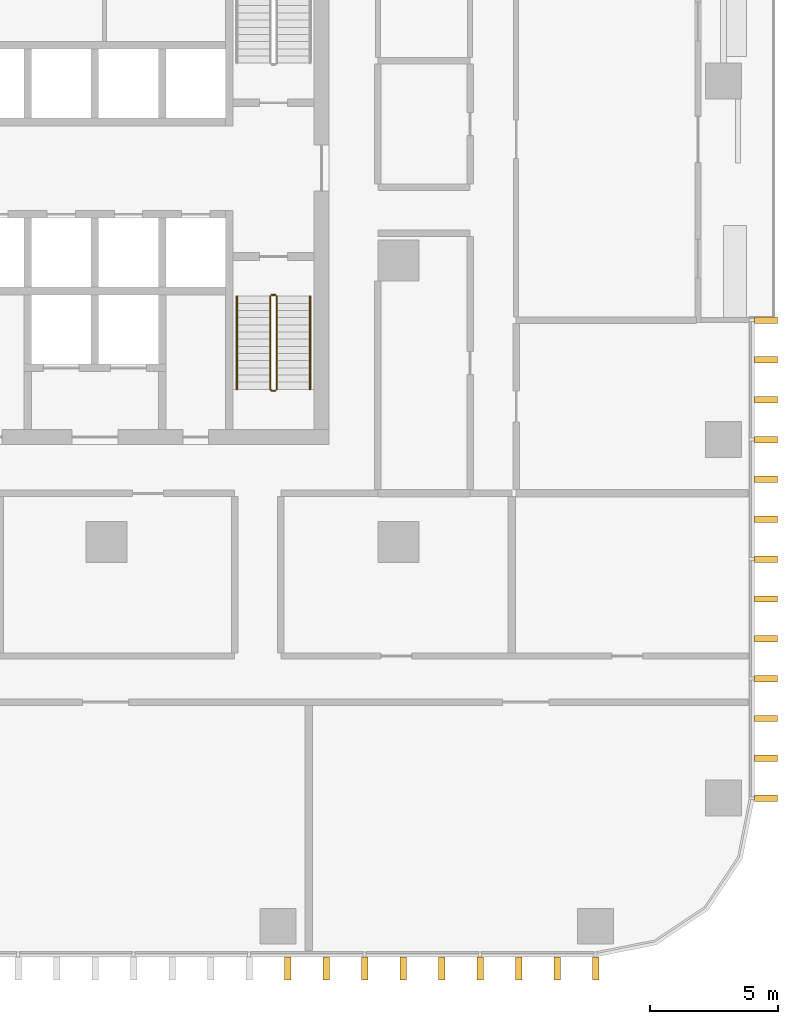
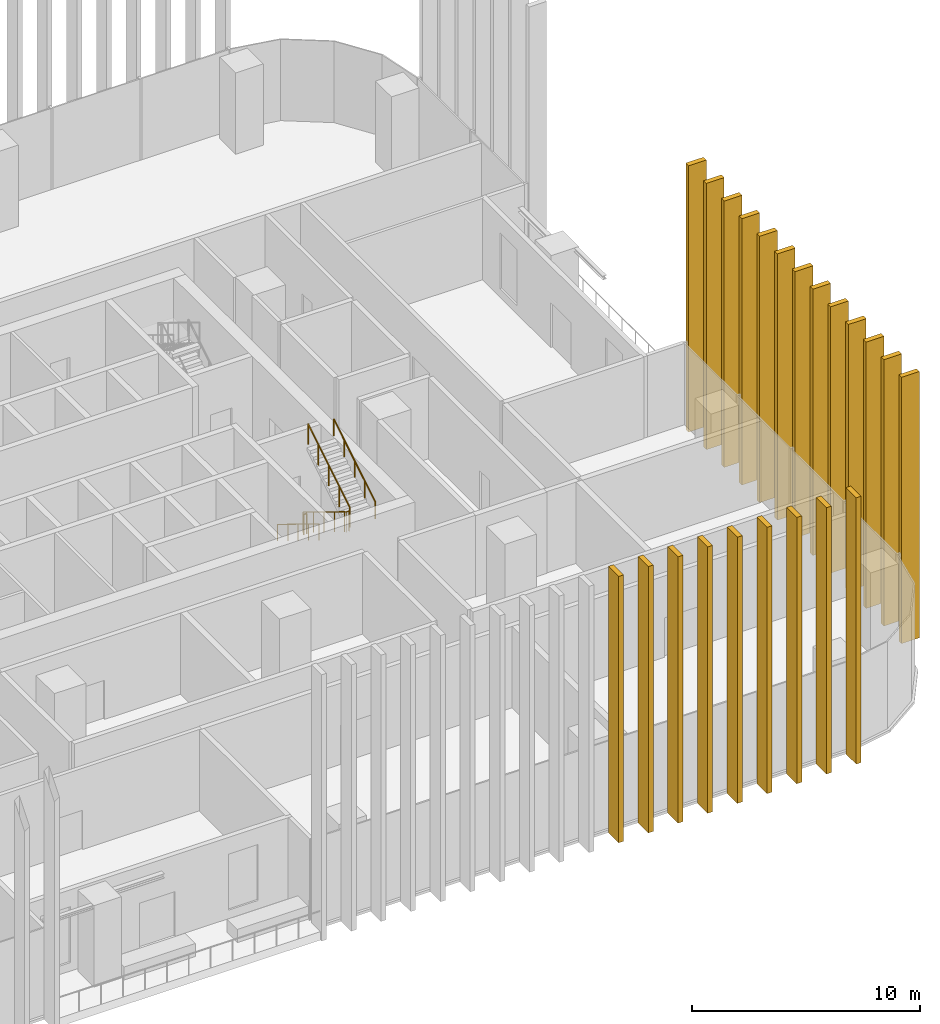
# One storey, part 14 of 17: 22 shading devices, 5 railings.
"""IFC4 building model written with IfcOpenShell, lengths in metres."""

from ifc_helpers import new_model, si_unit, direction, frame, origin, origin_2d, place, context, subcontext, project, spatial, rectangle, circle, extrude, material, type_object, element, save


model = new_model("IFC4")

# Units and contexts
model_context = context("Model", 3, precision=1e-05, world=origin(), true_north=direction((0.0, 1.0)))
body_context = subcontext(model_context, "Body", "Model", "MODEL_VIEW")
ifc_project = project(units=[si_unit("LENGTHUNIT", "METRE"), si_unit("AREAUNIT", "SQUARE_METRE"), si_unit("VOLUMEUNIT", "CUBIC_METRE"), si_unit("PLANEANGLEUNIT", "RADIAN"), si_unit("MASSUNIT", "GRAM", prefix="KILO")], contexts=[model_context])

# Site, building, storey
site_placement = place(None, origin())
site = spatial("IfcSite", under=ifc_project, at=site_placement, CompositionType="ELEMENT")
building_placement = place(site_placement, origin())
building = spatial("IfcBuilding", under=site, at=building_placement, Name="Mopane Tessera Tower", CompositionType="ELEMENT")
storey_placement = place(building_placement, frame((0.0, 0.0, 74.199951171875)))
storey = spatial("IfcBuildingStorey", under=building, at=storey_placement, Name="L14", CompositionType="ELEMENT", Elevation=74.199951171875)

# Shading devices
ifc_material_1 = material(Name="Glazed ceramic tile")
shading_device_type = type_object("IfcShadingDeviceType", Name="Ceramic tile fin 900 x 250 mm", PredefinedType="USERDEFINED", material=ifc_material_1)
for number, where, z_axis, x_axis, name in (
    (1, (12.77587890625, -27.64990234375, -0.449951171875), (0.0, 0.0, 1.0), (1.0, 0.0, 0.0), "e:fin:L14:S:8:1"),
    (2, (14.27880859375, -27.64990234375, -0.449951171875), (0.0, 0.0, 1.0), (1.0, 0.0, 0.0), "e:fin:L14:S:8:2"),
    (3, (15.78173828125, -27.64990234375, -0.449951171875), (0.0, 0.0, 1.0), (1.0, 0.0, 0.0), "e:fin:L14:S:9:0"),
    (4, (17.284912109375, -27.64990234375, -0.449951171875), (0.0, 0.0, 1.0), (1.0, 0.0, 0.0), "e:fin:L14:S:9:1"),
    (5, (18.787841796875, -27.64990234375, -0.449951171875), (0.0, 0.0, 1.0), (1.0, 0.0, 0.0), "e:fin:L14:S:9:2"),
    (6, (20.291015625, -27.64990234375, -0.449951171875), (0.0, 0.0, 1.0), (1.0, 0.0, 0.0), "e:fin:L14:S:10:0"),
    (7, (21.7939453125, -27.64990234375, -0.449951171875), (0.0, 0.0, 1.0), (1.0, 0.0, 0.0), "e:fin:L14:S:10:1"),
    (8, (23.296875, -27.64990234375, -0.449951171875), (0.0, 0.0, 1.0), (1.0, 0.0, 0.0), "e:fin:L14:S:10:2"),
    (9, (24.800048828125, -27.64990234375, -0.449951171875), (0.0, 0.0, 1.0), (1.0, 0.0, 0.0), "e:fin:L14:S:10:3"),
    (10, (31.449951171875, -21.0, -0.449951171875), (0.0, 0.0, 1.0), (0.0, 1.0, 0.0), "e:fin:L14:E:0:0"),
    (11, (31.449951171875, -19.4443359375, -0.449951171875), (0.0, 0.0, 1.0), (0.0, 1.0, 0.0), "e:fin:L14:E:0:1"),
    (12, (31.449951171875, -17.888916015625, -0.449951171875), (0.0, 0.0, 1.0), (0.0, 1.0, 0.0), "e:fin:L14:E:0:2"),
    (13, (31.449951171875, -16.333251953125, -0.449951171875), (0.0, 0.0, 1.0), (0.0, 1.0, 0.0), "e:fin:L14:E:1:0"),
    (14, (31.449951171875, -14.77783203125, -0.449951171875), (0.0, 0.0, 1.0), (0.0, 1.0, 0.0), "e:fin:L14:E:1:1"),
    (15, (31.449951171875, -13.22216796875, -0.449951171875), (0.0, 0.0, 1.0), (0.0, 1.0, 0.0), "e:fin:L14:E:1:2"),
    (16, (31.449951171875, -11.666748046875, -0.449951171875), (0.0, 0.0, 1.0), (0.0, 1.0, 0.0), "e:fin:L14:E:2:0"),
    (17, (31.449951171875, -10.111083984375, -0.449951171875), (0.0, 0.0, 1.0), (0.0, 1.0, 0.0), "e:fin:L14:E:2:1"),
    (18, (31.449951171875, -8.5556640625, -0.449951171875), (0.0, 0.0, 1.0), (0.0, 1.0, 0.0), "e:fin:L14:E:2:2"),
    (19, (31.449951171875, -7.0, -0.449951171875), (0.0, 0.0, 1.0), (0.0, 1.0, 0.0), "e:fin:L14:E:3:0"),
    (20, (31.449951171875, -5.4443359375, -0.449951171875), (0.0, 0.0, 1.0), (0.0, 1.0, 0.0), "e:fin:L14:E:3:1"),
    (21, (31.449951171875, -3.888916015625, -0.449951171875), (0.0, 0.0, 1.0), (0.0, 1.0, 0.0), "e:fin:L14:E:3:2"),
    (22, (31.449951171875, -2.333251953125, -0.449951171875), (0.0, 0.0, 1.0), (0.0, 1.0, 0.0), "e:fin:L14:E:3:3"),
):
    element("IfcShadingDevice", number, at=place(storey_placement, frame(where, z_axis=z_axis, x_axis=x_axis)), inside=storey, type_object=shading_device_type, Name=name, ObjectType="FIN", PredefinedType="USERDEFINED", context=body_context, shape_type="SweptSolid", body=[
        extrude(rectangle(XDim=0.25, YDim=0.89990234375, at=origin_2d()), origin(), (0.0, 0.0, 1.0), 14.25),
    ])

# Railings
ifc_material_2 = material(Name="Powder-coated steel balustrade", Category="steel")
railing_type_1 = type_object("IfcRailingType", Name="Escape stair guard 1100 mm", PredefinedType="GUARDRAIL", material=ifc_material_2)
railing_1_placement = place(storey_placement, frame((12.10009765625, -1.39990234375, 0.17138671875)))
element("IfcRailing", 23, at=railing_1_placement, inside=storey, type_object=railing_type_1, Name="L14 ST3 stair guard 1", PredefinedType="GUARDRAIL", context=body_context, shape_type="SweptSolid", body=[
    extrude(circle(Radius=0.02392578125, at=origin_2d()), frame((0.0, 0.0, 1.076171875), z_axis=(0.0, -0.852840387347, 0.522171689878), x_axis=(1.0, 0.0, 0.0)), (0.0, 0.0, 1.0), 4.268310546875),
    extrude(circle(Radius=0.02392578125, at=origin_2d()), frame((0.0, -3.64013671875, 3.3046875), z_axis=(0.705375805398, -0.708833529934, 0.0), x_axis=(0.708833529934, 0.705375805398, 0.0)), (0.0, 0.0, 1.0), 0.070556640625),
    extrude(circle(Radius=0.02392578125, at=origin_2d()), frame((0.0498046875, -3.690185546875, 3.3046875), z_axis=(1.0, 0.0, 0.0), x_axis=(0.0, 1.0, 0.0)), (0.0, 0.0, 1.0), 0.150146484375),
    extrude(circle(Radius=0.02099609375, at=origin_2d()), origin(), (0.0, 0.0, 1.0), 1.052001953125),
    extrude(circle(Radius=0.02099609375, at=origin_2d()), frame((0.0, -0.91015625, 0.55712890625)), (0.0, 0.0, 1.0), 1.052001953125),
    extrude(circle(Radius=0.02099609375, at=origin_2d()), frame((0.0, -1.820068359375, 1.1142578125)), (0.0, 0.0, 1.0), 1.052001953125),
    extrude(circle(Radius=0.02099609375, at=origin_2d()), frame((0.0, -2.72998046875, 1.671630859375)), (0.0, 0.0, 1.0), 1.052001953125),
    extrude(circle(Radius=0.02099609375, at=origin_2d()), frame((0.0, -3.64013671875, 2.228759765625)), (0.0, 0.0, 1.0), 1.052001953125),
    extrude(circle(Radius=0.02099609375, at=origin_2d()), frame((0.0498046875, -3.690185546875, 2.228759765625)), (0.0, 0.0, 1.0), 1.052001953125),
    extrude(circle(Radius=0.02099609375, at=origin_2d()), frame((0.199951171875, -3.690185546875, 2.228759765625)), (0.0, 0.0, 1.0), 1.052001953125),
])
railing_2_placement = place(storey_placement, frame((12.35009765625, -5.0400390625, 2.571533203125)))
element("IfcRailing", 24, at=railing_2_placement, inside=storey, type_object=railing_type_1, Name="L14 ST3 stair guard 2", PredefinedType="GUARDRAIL", context=body_context, shape_type="SweptSolid", body=[
    extrude(circle(Radius=0.02392578125, at=origin_2d()), frame((0.0, 0.0, 1.076171875), z_axis=(0.0, 0.852865859571, 0.52213008492), x_axis=(-1.0, 0.0, 0.0)), (0.0, 0.0, 1.0), 4.26806640625),
    extrude(circle(Radius=0.02099609375, at=origin_2d()), origin(), (0.0, 0.0, 1.0), 1.052001953125),
    extrude(circle(Radius=0.02099609375, at=origin_2d()), frame((0.0, 0.91015625, 0.55712890625)), (0.0, 0.0, 1.0), 1.052001953125),
    extrude(circle(Radius=0.02099609375, at=origin_2d()), frame((0.0, 1.820068359375, 1.1142578125)), (0.0, 0.0, 1.0), 1.052001953125),
    extrude(circle(Radius=0.02099609375, at=origin_2d()), frame((0.0, 2.72998046875, 1.67138671875)), (0.0, 0.0, 1.0), 1.052001953125),
    extrude(circle(Radius=0.02099609375, at=origin_2d()), frame((0.0, 3.64013671875, 2.228515625)), (0.0, 0.0, 1.0), 1.052001953125),
])
railing_3_placement = place(storey_placement, frame((12.14990234375, -1.35009765625, 0.0)))
element("IfcRailing", 25, at=railing_3_placement, inside=storey, type_object=railing_type_1, Name="L14 ST3 stair guard 3", PredefinedType="GUARDRAIL", context=body_context, shape_type="SweptSolid", body=[
    extrude(circle(Radius=0.02392578125, at=origin_2d()), frame((0.0, 0.0, 1.076171875), z_axis=(1.0, 0.0, 0.0), x_axis=(0.0, 1.0, 0.0)), (0.0, 0.0, 1.0), 0.150146484375),
    extrude(circle(Radius=0.02099609375, at=origin_2d()), origin(), (0.0, 0.0, 1.0), 1.052001953125),
    extrude(circle(Radius=0.02099609375, at=origin_2d()), frame((0.150146484375, 0.0, 0.0)), (0.0, 0.0, 1.0), 1.052001953125),
])
ifc_material_3 = material(Name="Powder-coated steel balustrade", Category="steel")
railing_type_2 = type_object("IfcRailingType", Name="Escape stair handrail 900 mm", PredefinedType="HANDRAIL", material=ifc_material_3)
railing_4_placement = place(storey_placement, frame((10.800048828125, -1.39990234375, 0.17138671875)))
element("IfcRailing", 26, at=railing_4_placement, inside=storey, type_object=railing_type_2, Name="L14 ST3 stair handrail 1", PredefinedType="HANDRAIL", context=body_context, shape_type="SweptSolid", body=[
    extrude(circle(Radius=0.02392578125, at=origin_2d()), frame((0.0, 0.0, 0.8759765625), z_axis=(0.0, -0.852840387347, 0.522171689878), x_axis=(1.0, 0.0, 0.0)), (0.0, 0.0, 1.0), 4.268310546875),
    extrude(circle(Radius=0.02099609375, at=origin_2d()), origin(), (0.0, 0.0, 1.0), 0.851806640625),
    extrude(circle(Radius=0.02099609375, at=origin_2d()), frame((0.0, -0.91015625, 0.55712890625)), (0.0, 0.0, 1.0), 0.851806640625),
    extrude(circle(Radius=0.02099609375, at=origin_2d()), frame((0.0, -1.820068359375, 1.1142578125)), (0.0, 0.0, 1.0), 0.851806640625),
    extrude(circle(Radius=0.02099609375, at=origin_2d()), frame((0.0, -2.72998046875, 1.671630859375)), (0.0, 0.0, 1.0), 0.851806640625),
    extrude(circle(Radius=0.02099609375, at=origin_2d()), frame((0.0, -3.64013671875, 2.228759765625)), (0.0, 0.0, 1.0), 0.851806640625),
])
railing_5_placement = place(storey_placement, frame((13.64990234375, -5.0400390625, 2.571533203125)))
element("IfcRailing", 27, at=railing_5_placement, inside=storey, type_object=railing_type_2, Name="L14 ST3 stair handrail 2", PredefinedType="HANDRAIL", context=body_context, shape_type="SweptSolid", body=[
    extrude(circle(Radius=0.02392578125, at=origin_2d()), frame((0.0, 0.0, 0.8759765625), z_axis=(0.0, 0.852865859571, 0.52213008492), x_axis=(-1.0, 0.0, 0.0)), (0.0, 0.0, 1.0), 4.26806640625),
    extrude(circle(Radius=0.02099609375, at=origin_2d()), origin(), (0.0, 0.0, 1.0), 0.851806640625),
    extrude(circle(Radius=0.02099609375, at=origin_2d()), frame((0.0, 0.91015625, 0.55712890625)), (0.0, 0.0, 1.0), 0.851806640625),
    extrude(circle(Radius=0.02099609375, at=origin_2d()), frame((0.0, 1.820068359375, 1.1142578125)), (0.0, 0.0, 1.0), 0.851806640625),
    extrude(circle(Radius=0.02099609375, at=origin_2d()), frame((0.0, 2.72998046875, 1.67138671875)), (0.0, 0.0, 1.0), 0.851806640625),
    extrude(circle(Radius=0.02099609375, at=origin_2d()), frame((0.0, 3.64013671875, 2.228515625)), (0.0, 0.0, 1.0), 0.851806640625),
])

save(model, "model.ifc")
